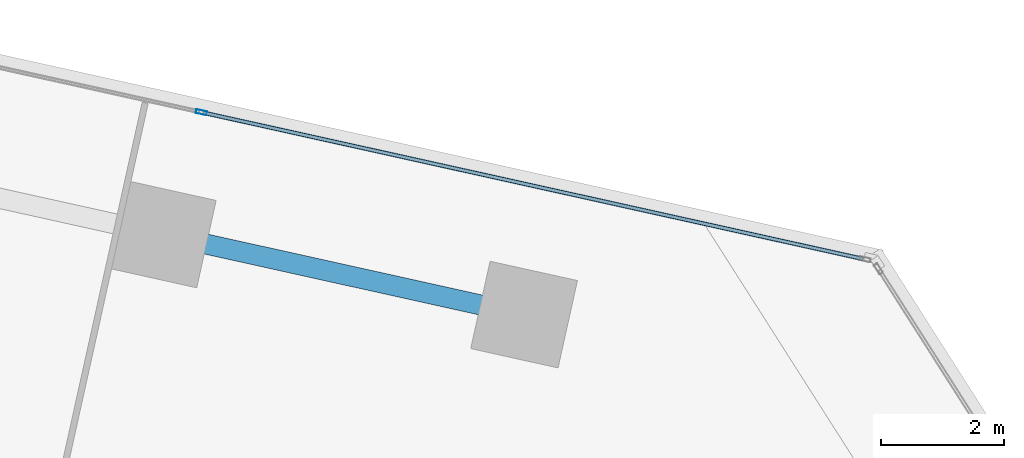
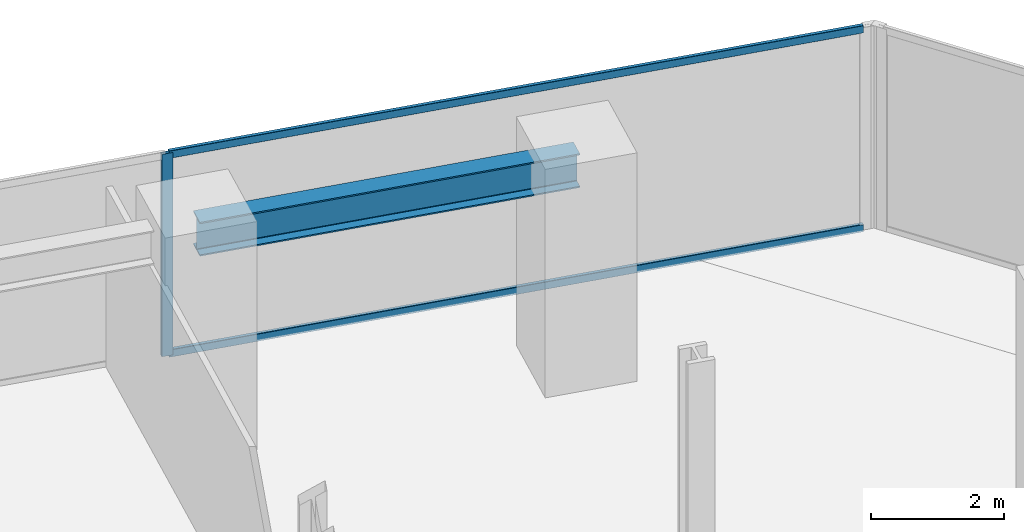
# One storey, part 13 of 25: 3 members, 1 beam, 1 element without a shape of its own.
"""IFC4 building model written with IfcOpenShell, lengths in metres."""

from ifc_helpers import new_model, si_unit, direction, frame, origin, origin_2d, place, context, subcontext, project, spatial, hollow_rectangle, i_section, extrude, source, transform, mapped, material, material_profile, profile_set, type_object, element, aggregate, save


model = new_model("IFC4")

# Units and contexts
model_context = context("Model", 3, precision=1e-05, world=origin(), true_north=direction((0.0, 1.0)))
body_context = subcontext(model_context, "Body", "Model", "MODEL_VIEW")
ifc_project = project(units=[si_unit("LENGTHUNIT", "METRE"), si_unit("AREAUNIT", "SQUARE_METRE"), si_unit("VOLUMEUNIT", "CUBIC_METRE"), si_unit("PLANEANGLEUNIT", "RADIAN"), si_unit("MASSUNIT", "GRAM", prefix="KILO")], contexts=[model_context])

# Site, building, storey
site_placement = place(None, origin())
site = spatial("IfcSite", under=ifc_project, at=site_placement, CompositionType="ELEMENT")
building_placement = place(site_placement, origin())
building = spatial("IfcBuilding", under=site, at=building_placement, Name="Torre Montelarca", CompositionType="ELEMENT")
storey_placement = place(building_placement, frame((0.0, 0.0, 87.39990234375)))
storey = spatial("IfcBuildingStorey", under=building, at=storey_placement, Name="L19", CompositionType="ELEMENT", Elevation=87.39990234375)

# Beam
ifc_material_1 = material(Name="Steel ASTM A992 Grade 50", Category="steel")
ifc_material_profile_1 = material_profile(ifc_material_1, i_section(OverallWidth=0.326904296875, OverallDepth=0.6220703125, WebThickness=0.015380859375, FlangeThickness=0.0244140625, FilletRadius=0.014892578125, at=origin_2d()), Name="W610X195", Category="steel")
ifc_profile_set_1 = profile_set([ifc_material_profile_1], Name="Steel ASTM A992 Grade 50")
beam_type = type_object("IfcBeamType", Name="BM-G-W610H", PredefinedType="BEAM", material=ifc_profile_set_1)
shared_shape_1 = source(origin(), body_context, "Body", "SweptSolid", [
    extrude(i_section(OverallWidth=0.326904296875, OverallDepth=0.6220703125, WebThickness=0.015380859375, FlangeThickness=0.0244140625, FilletRadius=0.014892578125, at=origin_2d()), origin(), (0.0, 0.0, 1.0), 6.0),
])
beam_placement = place(storey_placement, frame((50.402099609375, 39.9326171875, 3.649169921875), z_axis=(0.976288440383, -0.21647374246, 0.0), x_axis=(0.21647374246, 0.976288440383, 0.0)))
element("IfcBeam", 1, at=beam_placement, inside=storey, type_object=beam_type, Name="L19 Grid Girder X 48.0-54.0 at Y=46.0", PredefinedType="BEAM", context=body_context, shape_type="MappedRepresentation", body=[
    mapped(shared_shape_1, transform((0.0, 0.0, 0.0), scale=1.0)),
])

# Curtain wall, members
ifc_material_2 = material(Name="Insulated low-E laminated glass", Category="glass")
curtain_wall_type = type_object("IfcCurtainWallType", Name="CW-SYS-Z1", PredefinedType="USERDEFINED", material=ifc_material_2)
curtain_wall_placement = place(storey_placement, origin())
curtain_wall = element("IfcCurtainWall", 2, at=curtain_wall_placement, inside=storey, type_object=curtain_wall_type, Name="L19 Curtain Wall Run CW-T3-L19-E08-B1", ObjectType="UNITISED GLAZING", PredefinedType="USERDEFINED")
ifc_material_3 = material(Name="Anodised aluminium AA 6063-T6", Category="aluminium")
ifc_material_profile_2 = material_profile(ifc_material_3, hollow_rectangle(XDim=0.06494140625, YDim=0.139892578125, WallThickness=0.00390625, InnerFilletRadius=0.00390625, OuterFilletRadius=0.008056640625, at=origin_2d()), Name="ALU65X140X4", Category="aluminium")
ifc_profile_set_2 = profile_set([ifc_material_profile_2], Name="Anodised aluminium AA 6063-T6")
member_type_1 = type_object("IfcMemberType", Name="CWT-ALU140", PredefinedType="USERDEFINED", material=ifc_profile_set_2)
shared_shape_2 = source(origin(), body_context, "Body", "SweptSolid", [
    extrude(hollow_rectangle(XDim=0.06494140625, YDim=0.139892578125, WallThickness=0.00390625, InnerFilletRadius=0.00390625, OuterFilletRadius=0.008056640625, at=origin_2d()), origin(), (0.0, 0.0, 1.0), 10.95458984375),
])
member_1_placement = place(storey_placement, frame((61.75439453125, 39.535888671875, 0.03271484375), z_axis=(-0.976293917947, 0.216449037372, 0.0), x_axis=(-0.216449037372, -0.976293917947, 0.0)))
member_1 = element("IfcMember", 3, at=member_1_placement, type_object=member_type_1, Name="CW transom 1.1", ObjectType="TRANSOM", PredefinedType="USERDEFINED", context=body_context, shape_type="MappedRepresentation", body=[
    mapped(shared_shape_2, transform((0.0, 0.0, 0.0), scale=1.0)),
])
member_2_placement = place(storey_placement, frame((61.75439453125, 39.535888671875, 3.6875), z_axis=(-0.976293917947, 0.216449037372, 0.0), x_axis=(-0.216449037372, -0.976293917947, 0.0)))
member_2 = element("IfcMember", 4, at=member_2_placement, type_object=member_type_1, Name="CW transom 1.2", ObjectType="TRANSOM", PredefinedType="USERDEFINED", context=body_context, shape_type="MappedRepresentation", body=[
    mapped(shared_shape_2, transform((0.0, 0.0, 0.0), scale=1.0)),
])
ifc_material_profile_3 = material_profile(ifc_material_3, hollow_rectangle(XDim=0.06494140625, YDim=0.179931640625, WallThickness=0.00390625, InnerFilletRadius=0.00390625, OuterFilletRadius=0.008056640625, at=origin_2d()), Name="ALU65X180X4", Category="aluminium")
ifc_profile_set_3 = profile_set([ifc_material_profile_3], Name="Anodised aluminium AA 6063-T6")
member_type_2 = type_object("IfcMemberType", Name="CWM-ALU180", PredefinedType="MULLION", material=ifc_profile_set_3)
shared_shape_3 = source(origin(), body_context, "Body", "SweptSolid", [
    extrude(hollow_rectangle(XDim=0.06494140625, YDim=0.179931640625, WallThickness=0.00390625, InnerFilletRadius=0.00390625, OuterFilletRadius=0.008056640625, at=origin_2d()), origin(), (0.0, 0.0, 1.0), 3.72021484375),
])
member_3_placement = place(storey_placement, frame((51.02783203125, 41.9140625, 0.0), z_axis=(0.0, 0.0, 1.0), x_axis=(-0.216443272368, -0.976295196058, 0.0)))
member_3 = element("IfcMember", 5, at=member_3_placement, type_object=member_type_2, Name="CW mullion 2", PredefinedType="MULLION", context=body_context, shape_type="MappedRepresentation", body=[
    mapped(shared_shape_3, transform((0.0, 0.0, 0.0), scale=1.0)),
])
aggregate(curtain_wall, [member_3, member_1, member_2])

save(model, "model.ifc")
